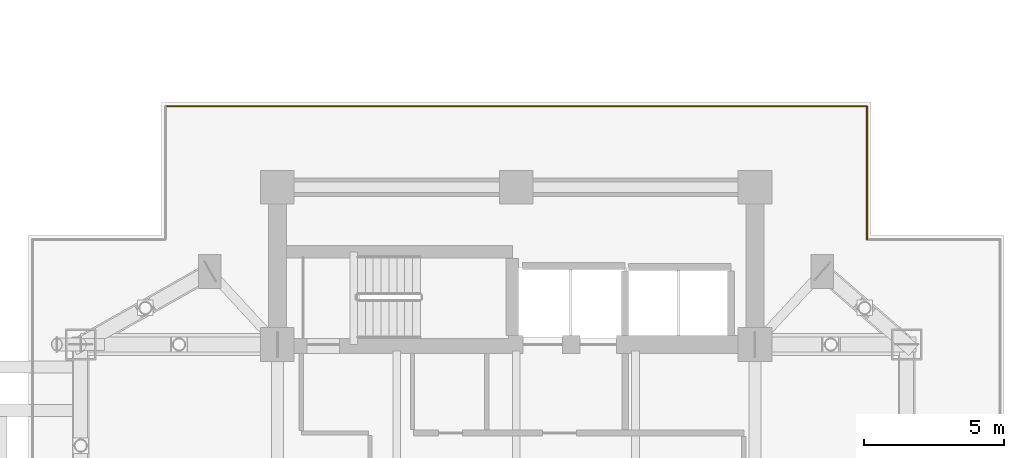
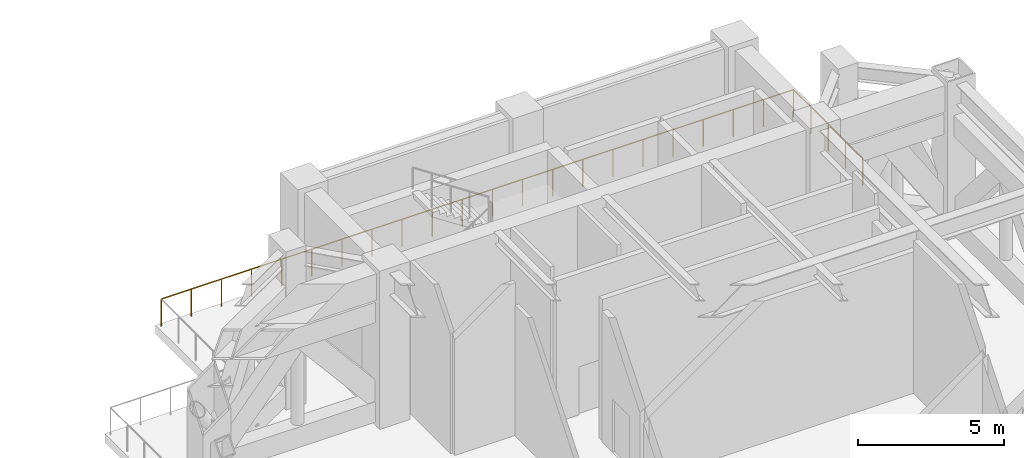
# One storey, part 21 of 21: 2 railings.
"""IFC4 building model written with IfcOpenShell, lengths in metres."""

from ifc_helpers import new_model, si_unit, direction, frame, origin, origin_2d, place, context, subcontext, project, spatial, circle, extrude, material, type_object, element, save


model = new_model("IFC4")

# Units and contexts
model_context = context("Model", 3, precision=1e-05, world=origin(), true_north=direction((0.0, 1.0)))
body_context = subcontext(model_context, "Body", "Model", "MODEL_VIEW")
ifc_project = project(units=[si_unit("LENGTHUNIT", "METRE"), si_unit("AREAUNIT", "SQUARE_METRE"), si_unit("VOLUMEUNIT", "CUBIC_METRE"), si_unit("PLANEANGLEUNIT", "RADIAN"), si_unit("MASSUNIT", "GRAM", prefix="KILO")], contexts=[model_context])

# Site, building, storey
site_placement = place(None, origin())
site = spatial("IfcSite", under=ifc_project, at=site_placement, CompositionType="ELEMENT")
building_placement = place(site_placement, origin())
building = spatial("IfcBuilding", under=site, at=building_placement, Name="Mirazonda Arch Towers", CompositionType="ELEMENT")
storey_placement = place(building_placement, frame((0.0, 0.0, 81.800048828125)))
storey = spatial("IfcBuildingStorey", under=building, at=storey_placement, Name="L23", CompositionType="ELEMENT", Elevation=81.800048828125)

# Railings
ifc_material = material(Name="Architectural Brushed Steel S355", Category="steel")
railing_type = type_object("IfcRailingType", Name="GUARD-EXT-1150", PredefinedType="GUARDRAIL", material=ifc_material)
railing_1_placement = place(storey_placement, frame((88.986083984375, 38.941162109375, 0.0)))
element("IfcRailing", 1, at=railing_1_placement, inside=storey, type_object=railing_type, Name="L23 T2 Open Wind-Portal Perimeter Guard 06", PredefinedType="GUARDRAIL", context=body_context, shape_type="SweptSolid", body=[
    extrude(circle(Radius=0.02392578125, at=origin_2d()), frame((0.0, 0.0, 1.1259765625), z_axis=(0.0, 1.0, 0.0), x_axis=(-1.0, 0.0, 0.0)), (0.0, 0.0, 1.0), 4.736328125),
    extrude(circle(Radius=0.02099609375, at=origin_2d()), origin(), (0.0, 0.0, 1.0), 1.101806640625),
    extrude(circle(Radius=0.02099609375, at=origin_2d()), frame((0.0, 1.18408203125, 0.0)), (0.0, 0.0, 1.0), 1.101806640625),
    extrude(circle(Radius=0.02099609375, at=origin_2d()), frame((0.0, 2.3681640625, 0.0)), (0.0, 0.0, 1.0), 1.101806640625),
    extrude(circle(Radius=0.02099609375, at=origin_2d()), frame((0.0, 3.55224609375, 0.0)), (0.0, 0.0, 1.0), 1.101806640625),
    extrude(circle(Radius=0.02099609375, at=origin_2d()), frame((0.0, 4.736328125, 0.0)), (0.0, 0.0, 1.0), 1.101806640625),
])
railing_2_placement = place(storey_placement, frame((88.986083984375, 43.677490234375, 0.0)))
element("IfcRailing", 2, at=railing_2_placement, inside=storey, type_object=railing_type, Name="L23 T2 Open Wind-Portal Perimeter Guard 07", PredefinedType="GUARDRAIL", context=body_context, shape_type="SweptSolid", body=[
    extrude(circle(Radius=0.02392578125, at=origin_2d()), frame((0.0, 0.0, 1.1259765625), z_axis=(-1.0, 0.0, 0.0), x_axis=(0.0, -1.0, 0.0)), (0.0, 0.0, 1.0), 24.97216796875),
    extrude(circle(Radius=0.02099609375, at=origin_2d()), origin(), (0.0, 0.0, 1.0), 1.101806640625),
    extrude(circle(Radius=0.02099609375, at=origin_2d()), frame((-1.189208984375, 0.0, 0.0)), (0.0, 0.0, 1.0), 1.101806640625),
    extrude(circle(Radius=0.02099609375, at=origin_2d()), frame((-2.37841796875, 0.0, 0.0)), (0.0, 0.0, 1.0), 1.101806640625),
    extrude(circle(Radius=0.02099609375, at=origin_2d()), frame((-3.5673828125, 0.0, 0.0)), (0.0, 0.0, 1.0), 1.101806640625),
    extrude(circle(Radius=0.02099609375, at=origin_2d()), frame((-4.756591796875, 0.0, 0.0)), (0.0, 0.0, 1.0), 1.101806640625),
    extrude(circle(Radius=0.02099609375, at=origin_2d()), frame((-5.94580078125, 0.0, 0.0)), (0.0, 0.0, 1.0), 1.101806640625),
    extrude(circle(Radius=0.02099609375, at=origin_2d()), frame((-7.135009765625, 0.0, 0.0)), (0.0, 0.0, 1.0), 1.101806640625),
    extrude(circle(Radius=0.02099609375, at=origin_2d()), frame((-8.323974609375, 0.0, 0.0)), (0.0, 0.0, 1.0), 1.101806640625),
    extrude(circle(Radius=0.02099609375, at=origin_2d()), frame((-9.51318359375, 0.0, 0.0)), (0.0, 0.0, 1.0), 1.101806640625),
    extrude(circle(Radius=0.02099609375, at=origin_2d()), frame((-10.702392578125, 0.0, 0.0)), (0.0, 0.0, 1.0), 1.101806640625),
    extrude(circle(Radius=0.02099609375, at=origin_2d()), frame((-11.8916015625, 0.0, 0.0)), (0.0, 0.0, 1.0), 1.101806640625),
    extrude(circle(Radius=0.02099609375, at=origin_2d()), frame((-13.08056640625, 0.0, 0.0)), (0.0, 0.0, 1.0), 1.101806640625),
    extrude(circle(Radius=0.02099609375, at=origin_2d()), frame((-14.269775390625, 0.0, 0.0)), (0.0, 0.0, 1.0), 1.101806640625),
    extrude(circle(Radius=0.02099609375, at=origin_2d()), frame((-15.458984375, 0.0, 0.0)), (0.0, 0.0, 1.0), 1.101806640625),
    extrude(circle(Radius=0.02099609375, at=origin_2d()), frame((-16.648193359375, 0.0, 0.0)), (0.0, 0.0, 1.0), 1.101806640625),
    extrude(circle(Radius=0.02099609375, at=origin_2d()), frame((-17.837158203125, 0.0, 0.0)), (0.0, 0.0, 1.0), 1.101806640625),
    extrude(circle(Radius=0.02099609375, at=origin_2d()), frame((-19.0263671875, 0.0, 0.0)), (0.0, 0.0, 1.0), 1.101806640625),
    extrude(circle(Radius=0.02099609375, at=origin_2d()), frame((-20.215576171875, 0.0, 0.0)), (0.0, 0.0, 1.0), 1.101806640625),
    extrude(circle(Radius=0.02099609375, at=origin_2d()), frame((-21.40478515625, 0.0, 0.0)), (0.0, 0.0, 1.0), 1.101806640625),
    extrude(circle(Radius=0.02099609375, at=origin_2d()), frame((-22.59375, 0.0, 0.0)), (0.0, 0.0, 1.0), 1.101806640625),
    extrude(circle(Radius=0.02099609375, at=origin_2d()), frame((-23.782958984375, 0.0, 0.0)), (0.0, 0.0, 1.0), 1.101806640625),
    extrude(circle(Radius=0.02099609375, at=origin_2d()), frame((-24.97216796875, 0.0, 0.0)), (0.0, 0.0, 1.0), 1.101806640625),
])

save(model, "model.ifc")
